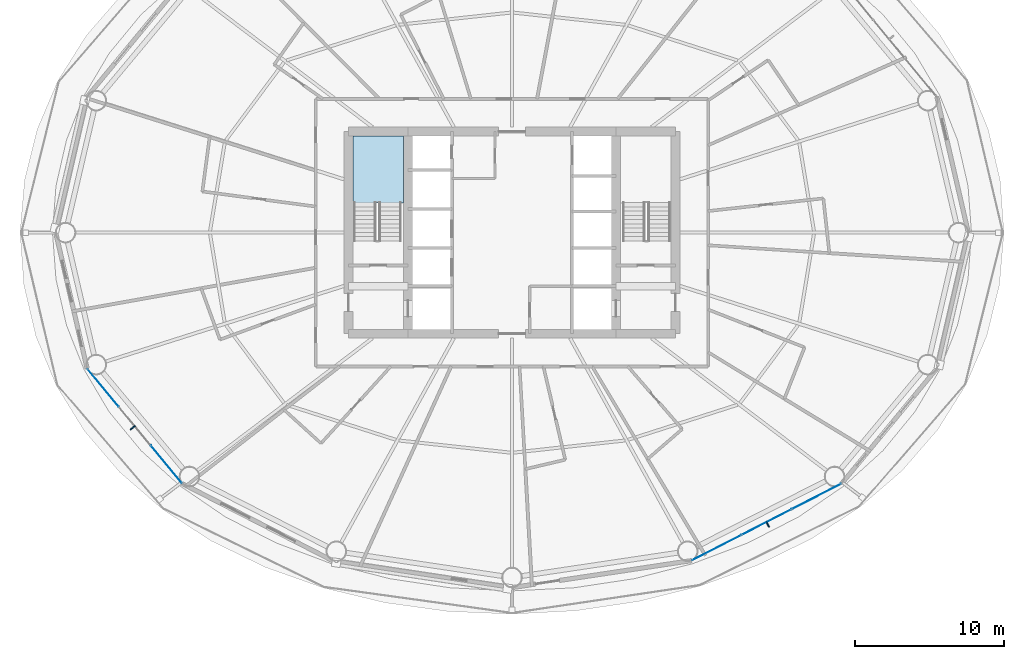
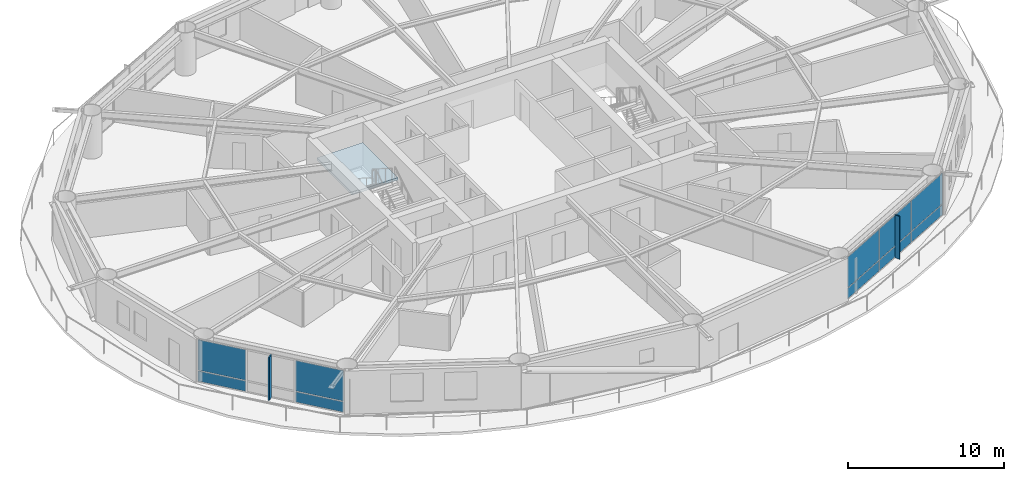
# One storey, part 16 of 26: 12 plates, 1 slab, 3 elements without a shape of their own.
"""IFC4 building model written with IfcOpenShell, lengths in metres."""

from ifc_helpers import new_model, si_unit, direction, frame, origin, origin_2d, place, context, subcontext, project, spatial, polyline, rectangle, outline, extrude, material, layer, layer_set, type_object, element, aggregate, save


model = new_model("IFC4")

# Units and contexts
model_context = context("Model", 3, precision=1e-05, world=origin(), true_north=direction((0.0, 1.0)))
body_context = subcontext(model_context, "Body", "Model", "MODEL_VIEW")
ifc_project = project(units=[si_unit("LENGTHUNIT", "METRE"), si_unit("AREAUNIT", "SQUARE_METRE"), si_unit("VOLUMEUNIT", "CUBIC_METRE"), si_unit("PLANEANGLEUNIT", "RADIAN"), si_unit("MASSUNIT", "GRAM", prefix="KILO")], contexts=[model_context])

# Site, building, storey
site_placement = place(None, origin())
site = spatial("IfcSite", under=ifc_project, at=site_placement, CompositionType="ELEMENT")
building_placement = place(site_placement, origin())
building = spatial("IfcBuilding", under=site, at=building_placement, Name="Sarneth Arch Tower", CompositionType="ELEMENT")
storey_placement = place(building_placement, frame((0.0, 0.0, 57.0)))
storey = spatial("IfcBuildingStorey", under=building, at=storey_placement, Name="L13", CompositionType="ELEMENT", Elevation=57.0)

# Curtain wall, plates
ifc_material_1 = material(Name="Anodised aluminium Type AA25 and solar-control low-e laminated IGU", Category="aluminium")
ifc_layer_1 = layer(ifc_material_1, 0.159912109375)
ifc_layer_set_1 = layer_set([ifc_layer_1], Name="Anodised aluminium Type AA25 and solar-control low-e laminated IGU")
curtain_wall_type = type_object("IfcCurtainWallType", Name="CW-HOTEL-LOW", PredefinedType="NOTDEFINED", material=ifc_layer_set_1)
curtain_wall_1_placement = place(storey_placement, origin())
curtain_wall_1 = element("IfcCurtainWall", 1, at=curtain_wall_1_placement, inside=storey, type_object=curtain_wall_type, Name="L13 Unitised curtain wall facet 10", PredefinedType="NOTDEFINED")
ifc_material_2 = material(Name="Solar-control low-e laminated IGU", Category="glass")
ifc_layer_2 = layer(ifc_material_2, 0.028076171875)
ifc_layer_set_2 = layer_set([ifc_layer_2], Name="Solar-control low-e laminated IGU")
plate_type_1 = type_object("IfcPlateType", Name="CW-PANEL", PredefinedType="CURTAIN_PANEL", material=ifc_layer_set_2)
plate_1_placement = place(storey_placement, frame((20.496337890625, 31.558837890625, 0.06005859375), z_axis=(0.0, 0.0, 1.0), x_axis=(0.637291340827, -0.770622960278, 0.0)))
plate_1 = element("IfcPlate", 2, at=plate_1_placement, type_object=plate_type_1, Name="Curtain wall glazed vision pane CW-L13-F10/P00-00", PredefinedType="CURTAIN_PANEL", context=body_context, shape_type="SweptSolid", body=[
    extrude(rectangle(XDim=3.260986328125, YDim=0.028076171875, at=origin_2d()), origin(), (0.0, 0.0, 1.0), 0.81005859375),
])
plate_2_placement = place(storey_placement, frame((20.496337890625, 31.558837890625, 0.93017578125), z_axis=(0.0, 0.0, 1.0), x_axis=(0.637291340827, -0.770622960278, 0.0)))
plate_2 = element("IfcPlate", 3, at=plate_2_placement, type_object=plate_type_1, Name="Curtain wall glazed vision pane CW-L13-F10/P00-01", PredefinedType="CURTAIN_PANEL", context=body_context, shape_type="SweptSolid", body=[
    extrude(rectangle(XDim=3.260986328125, YDim=0.028076171875, at=origin_2d()), origin(), (0.0, 0.0, 1.0), 2.389892578125),
])
plate_3_placement = place(storey_placement, frame((24.74853515625, 26.4169921875, 0.06005859375), z_axis=(0.0, 0.0, 1.0), x_axis=(0.637291340827, -0.770622960278, 0.0)))
plate_3 = element("IfcPlate", 4, at=plate_3_placement, type_object=plate_type_1, Name="Curtain wall glazed vision pane CW-L13-F10/P02-00", PredefinedType="CURTAIN_PANEL", context=body_context, shape_type="SweptSolid", body=[
    extrude(rectangle(XDim=3.260986328125, YDim=0.028076171875, at=origin_2d()), origin(), (0.0, 0.0, 1.0), 0.81005859375),
])
plate_4_placement = place(storey_placement, frame((24.74853515625, 26.4169921875, 0.93017578125), z_axis=(0.0, 0.0, 1.0), x_axis=(0.637291340827, -0.770622960278, 0.0)))
plate_4 = element("IfcPlate", 5, at=plate_4_placement, type_object=plate_type_1, Name="Curtain wall glazed vision pane CW-L13-F10/P02-01", PredefinedType="CURTAIN_PANEL", context=body_context, shape_type="SweptSolid", body=[
    extrude(rectangle(XDim=3.260986328125, YDim=0.028076171875, at=origin_2d()), origin(), (0.0, 0.0, 1.0), 2.389892578125),
])
aggregate(curtain_wall_1, [plate_1, plate_2, plate_3, plate_4])

curtain_wall_2_placement = place(storey_placement, origin())
curtain_wall_2 = element("IfcCurtainWall", 6, at=curtain_wall_2_placement, inside=storey, type_object=curtain_wall_type, Name="L13 Unitised curtain wall facet 14", PredefinedType="NOTDEFINED")
plate_5_placement = place(storey_placement, frame((61.77392578125, 20.807373046875, 0.06005859375), z_axis=(0.0, 0.0, 1.0), x_axis=(0.889854100456, 0.456245197127, 0.0)))
plate_5 = element("IfcPlate", 7, at=plate_5_placement, type_object=plate_type_1, Name="Curtain wall glazed vision pane CW-L13-F14/P00-00", PredefinedType="CURTAIN_PANEL", context=body_context, shape_type="SweptSolid", body=[
    extrude(rectangle(XDim=3.69189453125, YDim=0.028076171875, at=origin_2d()), origin(), (0.0, 0.0, 1.0), 0.81005859375),
])
plate_6_placement = place(storey_placement, frame((61.77392578125, 20.807373046875, 0.93017578125), z_axis=(0.0, 0.0, 1.0), x_axis=(0.889854100456, 0.456245197127, 0.0)))
plate_6 = element("IfcPlate", 8, at=plate_6_placement, type_object=plate_type_1, Name="Curtain wall glazed vision pane CW-L13-F14/P00-01", PredefinedType="CURTAIN_PANEL", context=body_context, shape_type="SweptSolid", body=[
    extrude(rectangle(XDim=3.69189453125, YDim=0.028076171875, at=origin_2d()), origin(), (0.0, 0.0, 1.0), 2.389892578125),
])
plate_7_placement = place(storey_placement, frame((65.1259765625, 22.526123046875, 0.06005859375), z_axis=(0.0, 0.0, 1.0), x_axis=(0.889854100456, 0.456245197127, 0.0)))
plate_7 = element("IfcPlate", 9, at=plate_7_placement, type_object=plate_type_1, Name="Curtain wall glazed vision pane CW-L13-F14/P01-00", PredefinedType="CURTAIN_PANEL", context=body_context, shape_type="SweptSolid", body=[
    extrude(rectangle(XDim=3.721923828125, YDim=0.028076171875, at=origin_2d()), origin(), (0.0, 0.0, 1.0), 0.81005859375),
])
plate_8_placement = place(storey_placement, frame((65.1259765625, 22.526123046875, 0.93017578125), z_axis=(0.0, 0.0, 1.0), x_axis=(0.889854100456, 0.456245197127, 0.0)))
plate_8 = element("IfcPlate", 10, at=plate_8_placement, type_object=plate_type_1, Name="Curtain wall glazed vision pane CW-L13-F14/P01-01", PredefinedType="CURTAIN_PANEL", context=body_context, shape_type="SweptSolid", body=[
    extrude(rectangle(XDim=3.721923828125, YDim=0.028076171875, at=origin_2d()), origin(), (0.0, 0.0, 1.0), 2.389892578125),
])
plate_9_placement = place(storey_placement, frame((68.47802734375, 24.24462890625, 0.06005859375), z_axis=(0.0, 0.0, 1.0), x_axis=(0.889854100456, 0.456245197127, 0.0)))
plate_9 = element("IfcPlate", 11, at=plate_9_placement, type_object=plate_type_1, Name="Curtain wall glazed vision pane CW-L13-F14/P02-00", PredefinedType="CURTAIN_PANEL", context=body_context, shape_type="SweptSolid", body=[
    extrude(rectangle(XDim=3.69189453125, YDim=0.028076171875, at=origin_2d()), origin(), (0.0, 0.0, 1.0), 0.81005859375),
])
plate_10_placement = place(storey_placement, frame((68.47802734375, 24.24462890625, 0.93017578125), z_axis=(0.0, 0.0, 1.0), x_axis=(0.889854100456, 0.456245197127, 0.0)))
plate_10 = element("IfcPlate", 12, at=plate_10_placement, type_object=plate_type_1, Name="Curtain wall glazed vision pane CW-L13-F14/P02-01", PredefinedType="CURTAIN_PANEL", context=body_context, shape_type="SweptSolid", body=[
    extrude(rectangle(XDim=3.69189453125, YDim=0.028076171875, at=origin_2d()), origin(), (0.0, 0.0, 1.0), 2.389892578125),
])
aggregate(curtain_wall_2, [plate_5, plate_6, plate_7, plate_8, plate_9, plate_10])

# Plates
ifc_material_3 = material(Name="Extruded glazed terracotta baguette fin on Aluminium 6063-T6 carrier", Category="masonry")
ifc_layer_3 = layer(ifc_material_3, 0.080078125)
ifc_layer_set_3 = layer_set([ifc_layer_3], Name="Extruded glazed terracotta baguette fin on Aluminium 6063-T6 carrier")
plate_type_2 = type_object("IfcPlateType", Name="SHADE-TERRA-FIN", PredefinedType="SHEET", material=ifc_layer_set_3)
for number, where, z_axis, x_axis, name in (
    (13, (22.491455078125, 28.879638671875, 0.009765625), (0.0, 0.0, 1.0), (-0.770624482513, -0.637289500111, 0.0), "L13 Terracotta vertical shading fin 10"),
    (14, (65.20361328125, 22.374755859375, 0.009765625), (0.0, 0.0, 1.0), (0.4563215909, -0.889814927768, 0.0), "L13 Terracotta vertical shading fin 14"),
):
    element("IfcPlate", number, at=place(storey_placement, frame(where, z_axis=z_axis, x_axis=x_axis)), inside=storey, type_object=plate_type_2, Name=name, PredefinedType="SHEET", context=body_context, shape_type="SweptSolid", body=[
        extrude(rectangle(XDim=0.419921875, YDim=0.080078125, at=origin_2d()), origin(), (0.0, 0.0, 1.0), 3.360107421875),
    ])

# Stair, slab
ifc_material_4 = material(Name="Concrete C50/60", Category="concrete")
stair_type = type_object("IfcStairType", Name="STAIR-CORE-RC", PredefinedType="HALF_TURN_STAIR", material=ifc_material_4)
stair_placement = place(storey_placement, origin())
stair = element("IfcStair", 15, at=stair_placement, inside=storey, type_object=stair_type, Name="L13 Core Exit Stair 1", PredefinedType="HALF_TURN_STAIR")
ifc_material_5 = material(Name="Concrete C50/60", Category="concrete")
ifc_layer_4 = layer(ifc_material_5, 0.199951171875)
ifc_layer_set_4 = layer_set([ifc_layer_4], Name="Concrete C50/60")
slab_type = type_object("IfcSlabType", Name="SLAB-LANDING-200", PredefinedType="LANDING", material=ifc_layer_set_4)
slab_placement = place(storey_placement, frame((0.0, 0.0, 1.60009765625)))
slab = element("IfcSlab", 16, at=slab_placement, type_object=slab_type, Name="ST-1 landing 1", PredefinedType="LANDING", context=body_context, shape_type="SweptSolid", body=[
    extrude(outline(polyline([(37.300048828125, 43.985107421875), (40.699951171875, 43.985107421875), (40.699951171875, 48.5), (37.300048828125, 48.5), (37.300048828125, 43.985107421875)])), origin(), (0.0, 0.0, 1.0), 0.199951171875),
])
aggregate(stair, [slab])

save(model, "model.ifc")
